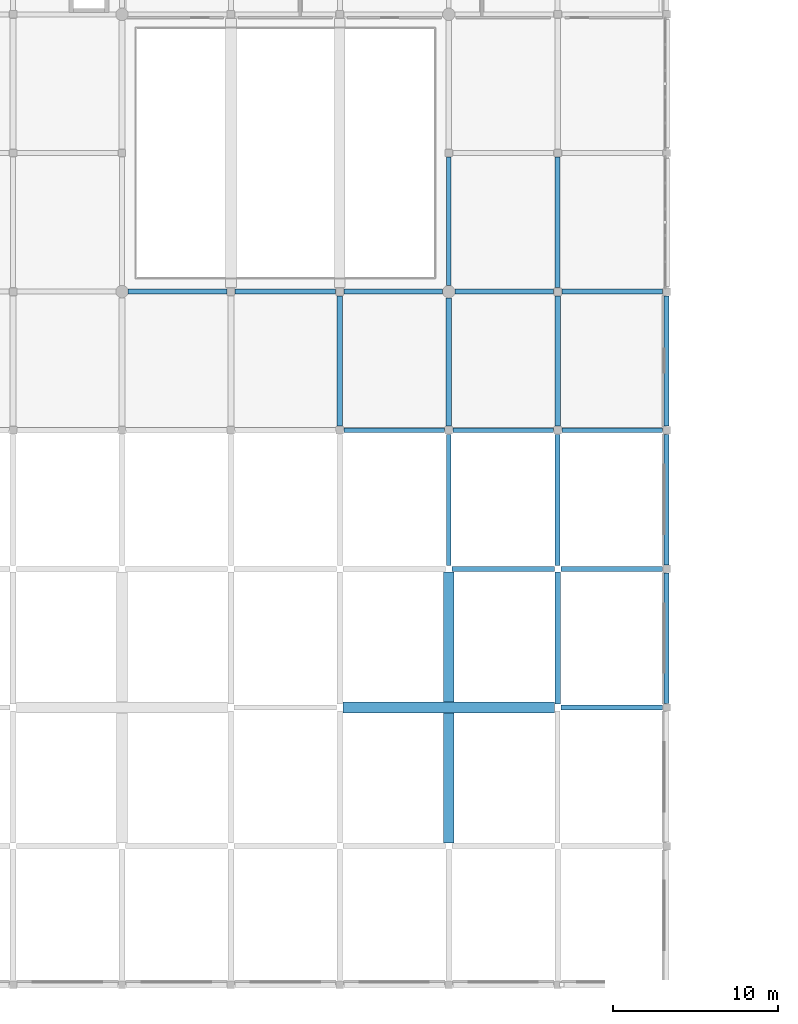
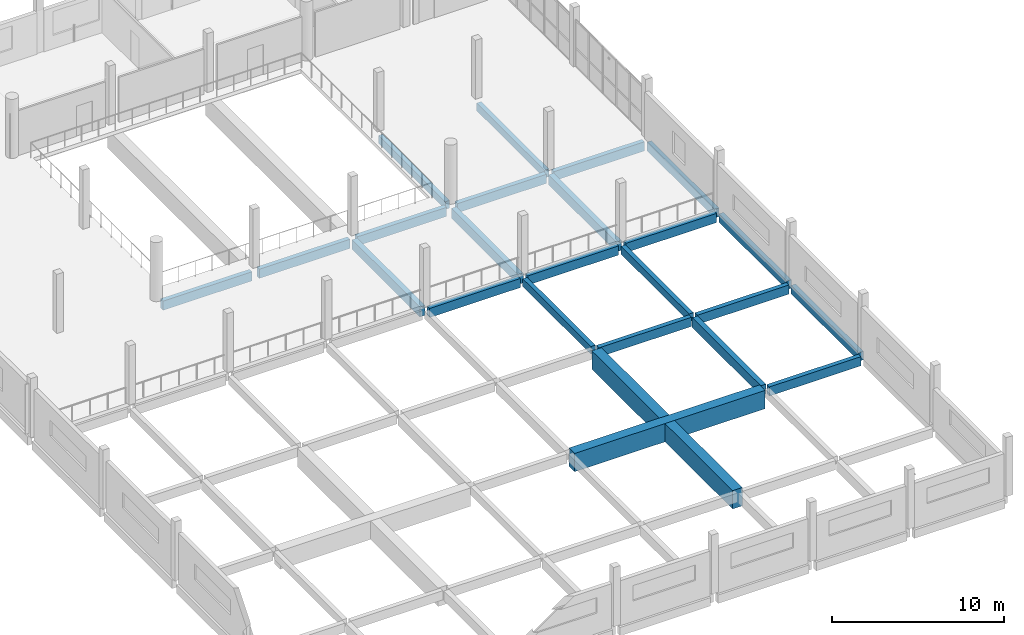
# One storey, part 5 of 74: 24 beams.
"""IFC4 building model written with IfcOpenShell, lengths in metres."""

from ifc_helpers import new_model, si_unit, direction, frame, origin, origin_2d, place, context, subcontext, project, spatial, rectangle, extrude, material, material_profile, profile_set, type_object, element, save


model = new_model("IFC4")

# Units and contexts
model_context = context("Model", 3, precision=1e-05, world=origin(), true_north=direction((0.0, 1.0)))
body_context = subcontext(model_context, "Body", "Model", "MODEL_VIEW")
ifc_project = project(units=[si_unit("LENGTHUNIT", "METRE"), si_unit("AREAUNIT", "SQUARE_METRE"), si_unit("VOLUMEUNIT", "CUBIC_METRE"), si_unit("PLANEANGLEUNIT", "RADIAN"), si_unit("MASSUNIT", "GRAM", prefix="KILO")], contexts=[model_context])

# Site, building, storey
site_placement = place(None, origin())
site = spatial("IfcSite", under=ifc_project, at=site_placement, CompositionType="ELEMENT")
building_placement = place(site_placement, origin())
building = spatial("IfcBuilding", under=site, at=building_placement, Name="Qaldarim Faculty of Natural and Applied Sciences", CompositionType="ELEMENT")
storey_placement = place(building_placement, frame((0.0, 0.0, 14.39990234375)))
storey = spatial("IfcBuildingStorey", under=building, at=storey_placement, Name="L03", CompositionType="ELEMENT", Elevation=14.39990234375)

# Beams
ifc_material_1 = material(Name="Concrete C40/50", Category="concrete")
ifc_material_profile_1 = material_profile(ifc_material_1, rectangle(XDim=0.300048828125, YDim=0.550048828125, at=origin_2d()), Name="RC-B300x550")
ifc_profile_set_1 = profile_set([ifc_material_profile_1], Name="Concrete C40/50")
beam_type_1 = type_object("IfcBeamType", Name="FloorBeam-RC300x550", PredefinedType="BEAM", material=ifc_profile_set_1)
beam_1_placement = place(storey_placement, frame((33.0, 42.199951171875, -0.534912109375), z_axis=(0.0, 1.0, 0.0), x_axis=(-1.0, 0.0, 0.0)))
element("IfcBeam", 1, at=beam_1_placement, inside=storey, type_object=beam_type_1, Name="Beam RC-B300x550 L02 X06/Y06-Y07", PredefinedType="BEAM", context=body_context, shape_type="SweptSolid", body=[
    extrude(rectangle(XDim=0.300048828125, YDim=0.550048828125, at=origin_2d()), origin(), (0.0, 0.0, 1.0), 7.949951171875),
])
beam_2_placement = place(storey_placement, frame((33.0, 59.175048828125, -0.534912109375), z_axis=(0.0, 1.0, 0.0), x_axis=(-1.0, 0.0, 0.0)))
element("IfcBeam", 2, at=beam_2_placement, inside=storey, type_object=beam_type_1, Name="Beam RC-B300x550 L02 X06/Y08-Y09", PredefinedType="BEAM", context=body_context, shape_type="SweptSolid", body=[
    extrude(rectangle(XDim=0.300048828125, YDim=0.550048828125, at=origin_2d()), origin(), (0.0, 0.0, 1.0), 7.77490234375),
])
beam_3_placement = place(storey_placement, frame((39.60009765625, 42.199951171875, -0.534912109375), z_axis=(0.0, 1.0, 0.0), x_axis=(-1.0, 0.0, 0.0)))
element("IfcBeam", 3, at=beam_3_placement, inside=storey, type_object=beam_type_1, Name="Beam RC-B300x550 L02 X07/Y06-Y07", PredefinedType="BEAM", context=body_context, shape_type="SweptSolid", body=[
    extrude(rectangle(XDim=0.300048828125, YDim=0.550048828125, at=origin_2d()), origin(), (0.0, 0.0, 1.0), 7.949951171875),
])
beam_4_placement = place(storey_placement, frame((39.60009765625, 59.050048828125, -0.534912109375), z_axis=(0.0, 1.0, 0.0), x_axis=(-1.0, 0.0, 0.0)))
element("IfcBeam", 4, at=beam_4_placement, inside=storey, type_object=beam_type_1, Name="Beam RC-B300x550 L02 X07/Y08-Y09", PredefinedType="BEAM", context=body_context, shape_type="SweptSolid", body=[
    extrude(rectangle(XDim=0.300048828125, YDim=0.550048828125, at=origin_2d()), origin(), (0.0, 0.0, 1.0), 7.89990234375),
])
ifc_material_profile_2 = material_profile(ifc_material_1, rectangle(XDim=0.300048828125, YDim=0.64990234375, at=origin_2d()), Name="RC-B300x650")
ifc_profile_set_2 = profile_set([ifc_material_profile_2], Name="Concrete C40/50")
beam_type_2 = type_object("IfcBeamType", Name="PrimaryBeam-RC300x650", PredefinedType="BEAM", material=ifc_profile_set_2)
beam_5_placement = place(storey_placement, frame((39.800048828125, 33.60009765625, -0.5849609375), z_axis=(1.0, 0.0, 0.0), x_axis=(0.0, 1.0, 0.0)))
element("IfcBeam", 5, at=beam_5_placement, inside=storey, type_object=beam_type_2, Name="Beam RC-B300x650 L02 X07-X08/Y05", PredefinedType="BEAM", context=body_context, shape_type="SweptSolid", body=[
    extrude(rectangle(XDim=0.300048828125, YDim=0.64990234375, at=origin_2d()), origin(), (0.0, 0.0, 1.0), 6.14990234375),
])
beam_6_placement = place(storey_placement, frame((33.199951171875, 42.0, -0.5849609375), z_axis=(1.0, 0.0, 0.0), x_axis=(0.0, 1.0, 0.0)))
element("IfcBeam", 6, at=beam_6_placement, inside=storey, type_object=beam_type_2, Name="Beam RC-B300x650 L02 X06-X07/Y06", PredefinedType="BEAM", context=body_context, shape_type="SweptSolid", body=[
    extrude(rectangle(XDim=0.300048828125, YDim=0.64990234375, at=origin_2d()), origin(), (0.0, 0.0, 1.0), 6.199951171875),
])
beam_7_placement = place(storey_placement, frame((39.800048828125, 42.0, -0.5849609375), z_axis=(1.0, 0.0, 0.0), x_axis=(0.0, 1.0, 0.0)))
element("IfcBeam", 7, at=beam_7_placement, inside=storey, type_object=beam_type_2, Name="Beam RC-B300x650 L02 X07-X08/Y06", PredefinedType="BEAM", context=body_context, shape_type="SweptSolid", body=[
    extrude(rectangle(XDim=0.300048828125, YDim=0.64990234375, at=origin_2d()), origin(), (0.0, 0.0, 1.0), 6.14990234375),
])
for number, where, z_axis, x_axis, name in (
    (8, (26.64990234375, 50.39990234375, -0.5849609375), (1.0, 0.0, 0.0), (0.0, 1.0, 0.0), "Beam RC-B300x650 L02 X05-X06/Y07"),
    (9, (33.25, 50.39990234375, -0.5849609375), (1.0, 0.0, 0.0), (0.0, 1.0, 0.0), "Beam RC-B300x650 L02 X06-X07/Y07"),
):
    element("IfcBeam", number, at=place(storey_placement, frame(where, z_axis=z_axis, x_axis=x_axis)), inside=storey, type_object=beam_type_2, Name=name, PredefinedType="BEAM", context=body_context, shape_type="SweptSolid", body=[
        extrude(rectangle(XDim=0.300048828125, YDim=0.64990234375, at=origin_2d()), origin(), (0.0, 0.0, 1.0), 6.10009765625),
    ])
beam_8_placement = place(storey_placement, frame((39.85009765625, 50.39990234375, -0.5849609375), z_axis=(1.0, 0.0, 0.0), x_axis=(0.0, 1.0, 0.0)))
element("IfcBeam", 10, at=beam_8_placement, inside=storey, type_object=beam_type_2, Name="Beam RC-B300x650 L02 X07-X08/Y07", PredefinedType="BEAM", context=body_context, shape_type="SweptSolid", body=[
    extrude(rectangle(XDim=0.300048828125, YDim=0.64990234375, at=origin_2d()), origin(), (0.0, 0.0, 1.0), 6.099853515625),
])
beam_9_placement = place(storey_placement, frame((13.574951171875, 58.800048828125, -0.5849609375), z_axis=(1.0, 0.0, 0.0), x_axis=(0.0, 1.0, 0.0)))
element("IfcBeam", 11, at=beam_9_placement, inside=storey, type_object=beam_type_2, Name="Beam RC-B300x650 L02 X03-X04/Y08", PredefinedType="BEAM", context=body_context, shape_type="SweptSolid", body=[
    extrude(rectangle(XDim=0.300048828125, YDim=0.64990234375, at=origin_2d()), origin(), (0.0, 0.0, 1.0), 5.97509765625),
])
beam_10_placement = place(storey_placement, frame((20.050048828125, 58.800048828125, -0.5849609375), z_axis=(1.0, 0.0, 0.0), x_axis=(0.0, 1.0, 0.0)))
element("IfcBeam", 12, at=beam_10_placement, inside=storey, type_object=beam_type_2, Name="Beam RC-B300x650 L02 X04-X05/Y08", PredefinedType="BEAM", context=body_context, shape_type="SweptSolid", body=[
    extrude(rectangle(XDim=0.300048828125, YDim=0.64990234375, at=origin_2d()), origin(), (0.0, 0.0, 1.0), 6.099853515625),
])
for number, where, z_axis, x_axis, name in (
    (13, (26.64990234375, 58.800048828125, -0.5849609375), (1.0, 0.0, 0.0), (0.0, 1.0, 0.0), "Beam RC-B300x650 L02 X05-X06/Y08"),
    (14, (33.375, 58.800048828125, -0.5849609375), (1.0, 0.0, 0.0), (0.0, 1.0, 0.0), "Beam RC-B300x650 L02 X06-X07/Y08"),
):
    element("IfcBeam", number, at=place(storey_placement, frame(where, z_axis=z_axis, x_axis=x_axis)), inside=storey, type_object=beam_type_2, Name=name, PredefinedType="BEAM", context=body_context, shape_type="SweptSolid", body=[
        extrude(rectangle(XDim=0.300048828125, YDim=0.64990234375, at=origin_2d()), origin(), (0.0, 0.0, 1.0), 5.97509765625),
    ])
beam_11_placement = place(storey_placement, frame((39.85009765625, 58.800048828125, -0.5849609375), z_axis=(1.0, 0.0, 0.0), x_axis=(0.0, 1.0, 0.0)))
element("IfcBeam", 15, at=beam_11_placement, inside=storey, type_object=beam_type_2, Name="Beam RC-B300x650 L02 X07-X08/Y08", PredefinedType="BEAM", context=body_context, shape_type="SweptSolid", body=[
    extrude(rectangle(XDim=0.300048828125, YDim=0.64990234375, at=origin_2d()), origin(), (0.0, 0.0, 1.0), 6.099853515625),
])
ifc_material_profile_3 = material_profile(ifc_material_1, rectangle(XDim=0.35009765625, YDim=0.699951171875, at=origin_2d()), Name="RC-B350x700")
ifc_profile_set_3 = profile_set([ifc_material_profile_3], Name="Concrete C40/50")
beam_type_3 = type_object("IfcBeamType", Name="PrimaryGirder-RC350x700", PredefinedType="BEAM", material=ifc_profile_set_3)
beam_12_placement = place(storey_placement, frame((26.39990234375, 50.64990234375, -0.60986328125), z_axis=(0.0, 1.0, 0.0), x_axis=(-1.0, 0.0, 0.0)))
element("IfcBeam", 16, at=beam_12_placement, inside=storey, type_object=beam_type_3, Name="Beam RC-B350x700 L02 X05/Y07-Y08", PredefinedType="BEAM", context=body_context, shape_type="SweptSolid", body=[
    extrude(rectangle(XDim=0.35009765625, YDim=0.699951171875, at=origin_2d()), origin(), (0.0, 0.0, 1.0), 7.900146484375),
])
beam_13_placement = place(storey_placement, frame((33.0, 50.64990234375, -0.60986328125), z_axis=(0.0, 1.0, 0.0), x_axis=(-1.0, 0.0, 0.0)))
element("IfcBeam", 17, at=beam_13_placement, inside=storey, type_object=beam_type_3, Name="Beam RC-B350x700 L02 X06/Y07-Y08", PredefinedType="BEAM", context=body_context, shape_type="SweptSolid", body=[
    extrude(rectangle(XDim=0.35009765625, YDim=0.699951171875, at=origin_2d()), origin(), (0.0, 0.0, 1.0), 7.775146484375),
])
beam_14_placement = place(storey_placement, frame((39.60009765625, 33.800048828125, -0.60986328125), z_axis=(0.0, 1.0, 0.0), x_axis=(-1.0, 0.0, 0.0)))
element("IfcBeam", 18, at=beam_14_placement, inside=storey, type_object=beam_type_3, Name="Beam RC-B350x700 L02 X07/Y05-Y06", PredefinedType="BEAM", context=body_context, shape_type="SweptSolid", body=[
    extrude(rectangle(XDim=0.35009765625, YDim=0.699951171875, at=origin_2d()), origin(), (0.0, 0.0, 1.0), 8.0),
])
beam_15_placement = place(storey_placement, frame((39.60009765625, 50.64990234375, -0.60986328125), z_axis=(0.0, 1.0, 0.0), x_axis=(-1.0, 0.0, 0.0)))
element("IfcBeam", 19, at=beam_15_placement, inside=storey, type_object=beam_type_3, Name="Beam RC-B350x700 L02 X07/Y07-Y08", PredefinedType="BEAM", context=body_context, shape_type="SweptSolid", body=[
    extrude(rectangle(XDim=0.35009765625, YDim=0.699951171875, at=origin_2d()), origin(), (0.0, 0.0, 1.0), 7.900146484375),
])
ifc_material_2 = material(Name="Precast concrete C40/50", Category="concrete")
ifc_material_profile_4 = material_profile(ifc_material_2, rectangle(XDim=0.300048828125, YDim=0.60009765625, at=origin_2d()), Name="RC-SP300x600")
ifc_profile_set_4 = profile_set([ifc_material_profile_4], Name="Precast concrete C40/50")
beam_type_4 = type_object("IfcBeamType", Name="SpandrelBeam-RC300x600", PredefinedType="SPANDREL", material=ifc_profile_set_4)
for number, where, z_axis, x_axis, name in (
    (20, (46.199951171875, 33.85009765625, -0.559814453125), (0.0, 1.0, 0.0), (-1.0, 0.0, 0.0), "Beam RC-SP300x600 L02 X08/Y05-Y06"),
    (21, (46.199951171875, 42.25, -0.559814453125), (0.0, 1.0, 0.0), (-1.0, 0.0, 0.0), "Beam RC-SP300x600 L02 X08/Y06-Y07"),
):
    element("IfcBeam", number, at=place(storey_placement, frame(where, z_axis=z_axis, x_axis=x_axis)), inside=storey, type_object=beam_type_4, Name=name, PredefinedType="SPANDREL", context=body_context, shape_type="SweptSolid", body=[
        extrude(rectangle(XDim=0.300048828125, YDim=0.60009765625, at=origin_2d()), origin(), (0.0, 0.0, 1.0), 7.89990234375),
    ])
beam_16_placement = place(storey_placement, frame((46.199951171875, 50.64990234375, -0.559814453125), z_axis=(0.0, 1.0, 0.0), x_axis=(-1.0, 0.0, 0.0)))
element("IfcBeam", 22, at=beam_16_placement, inside=storey, type_object=beam_type_4, Name="Beam RC-SP300x600 L02 X08/Y07-Y08", PredefinedType="SPANDREL", context=body_context, shape_type="SweptSolid", body=[
    extrude(rectangle(XDim=0.300048828125, YDim=0.60009765625, at=origin_2d()), origin(), (0.0, 0.0, 1.0), 7.900146484375),
])
ifc_material_3 = material(Name="Concrete C50/60", Category="concrete")
ifc_material_profile_5 = material_profile(ifc_material_3, rectangle(XDim=0.64990234375, YDim=1.300048828125, at=origin_2d()), Name="RC-TG650x1300")
ifc_profile_set_5 = profile_set([ifc_material_profile_5], Name="Concrete C50/60")
beam_type_5 = type_object("IfcBeamType", Name="TransferGirder-RC650x1300", PredefinedType="BEAM", material=ifc_profile_set_5)
beam_17_placement = place(storey_placement, frame((26.60009765625, 33.60009765625, -0.909912109375), z_axis=(1.0, 0.0, 0.0), x_axis=(0.0, 1.0, 0.0)))
element("IfcBeam", 23, at=beam_17_placement, inside=storey, type_object=beam_type_5, Name="Long-span girder L02 Y05 X05-X07", PredefinedType="BEAM", context=body_context, shape_type="SweptSolid", body=[
    extrude(rectangle(XDim=0.64990234375, YDim=1.300048828125, at=origin_2d()), origin(), (0.0, 0.0, 1.0), 12.7998046875),
])
beam_18_placement = place(storey_placement, frame((33.0, 25.39990234375, -0.909912109375), z_axis=(0.0, 1.0, 0.0), x_axis=(-1.0, 0.0, 0.0)))
element("IfcBeam", 24, at=beam_18_placement, inside=storey, type_object=beam_type_5, Name="Long-span girder L02 X06 Y04-Y06", PredefinedType="BEAM", context=body_context, shape_type="SweptSolid", body=[
    extrude(rectangle(XDim=0.64990234375, YDim=1.300048828125, at=origin_2d()), origin(), (0.0, 0.0, 1.0), 16.400146484375),
])

save(model, "model.ifc")
